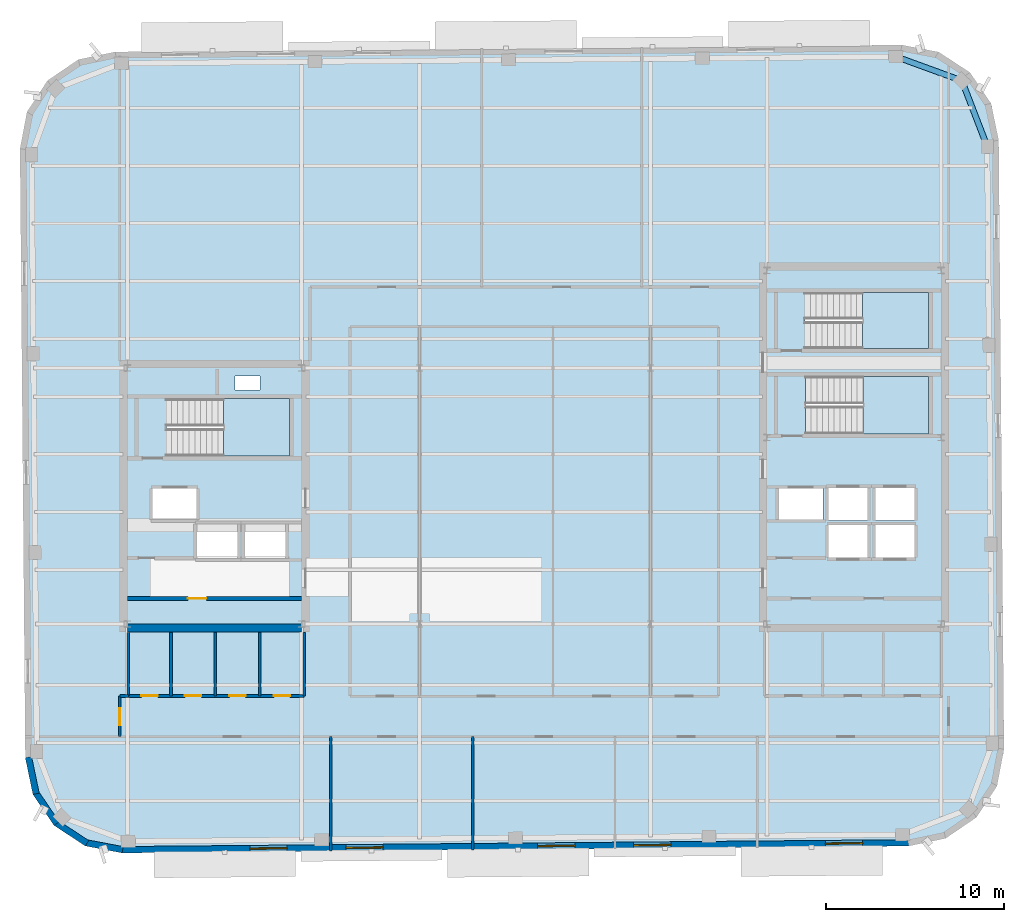
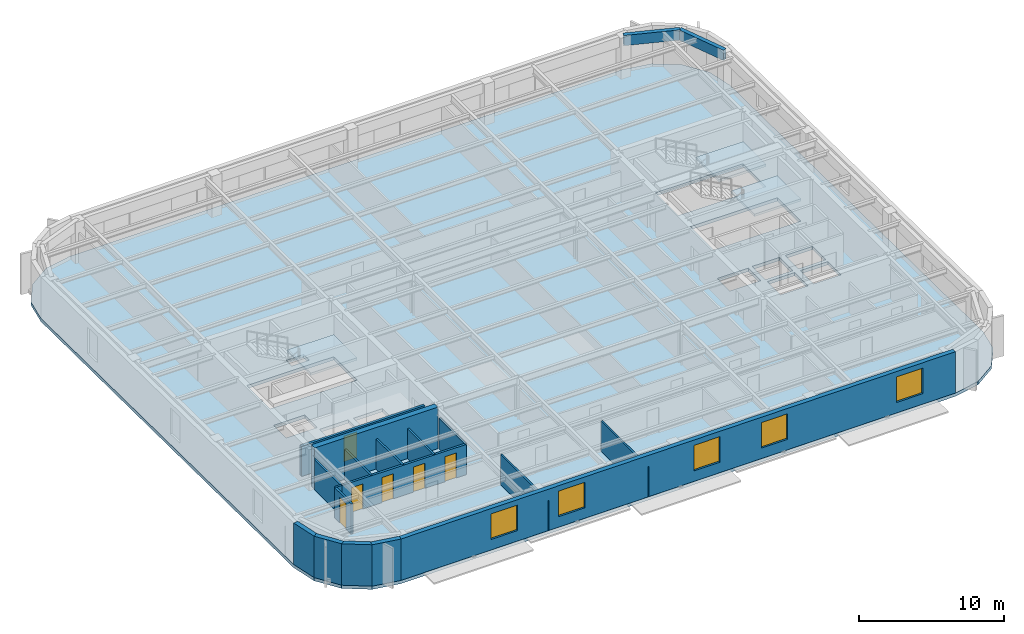
# One storey, part 6 of 15: 17 walls, 6 doors, 5 windows, 4 slabs, 2 beams, 11 openings, 3 elements without a shape of their own.
"""IFC4 building model written with IfcOpenShell, lengths in metres."""

import ifcopenshell
import ifcopenshell.guid

model = None  # the IFC model being written
_history = None  # IfcOwnerHistory: only IFC2X3 demands one
_inside = {}  # id of a spatial element -> (the spatial element, [elements in it])
_under = {}  # id of a project, library or spatial element -> (it, [spatial elements below it])
_declared = {}  # id of a project -> (the project, [libraries it declares])
_typed = {}  # id of a type object -> (the type object, [elements of that type])
_made_of = {}  # id of a material, layer set ... -> (it, [elements and type objects made of it])


def new_model(schema):
    """Start an empty IFC model of exactly this schema.

    Asked for "IFC4X3", IfcOpenShell would pick the latest addendum, in which some entities
    have other attributes; the version numbers below select the first issue.
    IFC2X3 requires an IfcOwnerHistory on every rooted entity: one is made here for all.
    """
    global model, _history
    if schema == "IFC4X3":
        model = ifcopenshell.file(schema_version=(4, 3, 0, 0))
    else:
        model = ifcopenshell.file(schema=schema)
    _inside.clear()
    _under.clear()
    _declared.clear()
    _typed.clear()
    _made_of.clear()
    _history = None
    if model.schema == "IFC2X3":
        org = make("IfcOrganization", Name="unknown")
        user = make(
            "IfcPersonAndOrganization",
            ThePerson=make("IfcPerson", FamilyName="unknown"),
            TheOrganization=org,
        )
        app = make(
            "IfcApplication",
            ApplicationDeveloper=org,
            Version="unknown",
            ApplicationFullName="unknown",
            ApplicationIdentifier="unknown",
        )
        _history = make(
            "IfcOwnerHistory",
            OwningUser=user,
            OwningApplication=app,
            ChangeAction="ADDED",
            CreationDate=0,
        )
    return model


def make(cls, **values):
    """One entity of the class cls with the attributes given. An attribute that is None is left unset."""
    return model.create_entity(
        cls, **{name: value for name, value in values.items() if value is not None}
    )


def rooted(cls, **values):
    """An entity with a GlobalId (a new one), such as an element, a storey or a relation."""
    return make(cls, GlobalId=ifcopenshell.guid.new(), OwnerHistory=_history, **values)


def si_unit(unit_type, name, prefix=None):
    """IfcSIUnit, for example si_unit("LENGTHUNIT", "METRE", prefix="MILLI")."""
    return make("IfcSIUnit", UnitType=unit_type, Prefix=prefix, Name=name)


def assignment(units):
    """IfcUnitAssignment: the units of a project."""
    return None if units is None else make("IfcUnitAssignment", Units=units)


def point(xyz):
    """IfcCartesianPoint."""
    return None if xyz is None else make("IfcCartesianPoint", Coordinates=xyz)


def direction(xyz):
    """IfcDirection."""
    return None if xyz is None else make("IfcDirection", DirectionRatios=xyz)


def frame(location, z_axis=None, x_axis=None):
    """IfcAxis2Placement3D, a coordinate frame: its origin and axes. An axis left out is left unset."""
    return make(
        "IfcAxis2Placement3D",
        Location=point(location),
        Axis=direction(z_axis),
        RefDirection=direction(x_axis),
    )


def frame_2d(location, x_axis=None):
    """IfcAxis2Placement2D, a coordinate frame in the plane: its origin and x axis."""
    return make(
        "IfcAxis2Placement2D", Location=point(location), RefDirection=direction(x_axis)
    )


def origin():
    """The frame at (0, 0, 0) with its axes left unset."""
    return frame((0.0, 0.0, 0.0))


def origin_2d():
    """The frame at (0, 0) in the plane with its x axis left unset."""
    return frame_2d((0.0, 0.0))


def place(relative_to, where):
    """IfcLocalPlacement: puts the frame where relative to a parent placement (None: the world)."""
    return make(
        "IfcLocalPlacement", PlacementRelTo=relative_to, RelativePlacement=where
    )


def context(
    kind, dimensions, precision=None, world=None, true_north=None, identifier=None
):
    """IfcGeometricRepresentationContext, for example the 3D "Model" context."""
    return make(
        "IfcGeometricRepresentationContext",
        ContextIdentifier=identifier,
        ContextType=kind,
        CoordinateSpaceDimension=dimensions,
        Precision=precision,
        WorldCoordinateSystem=world,
        TrueNorth=true_north,
    )


def subcontext(parent, identifier, kind, view, scale=None):
    """IfcGeometricRepresentationSubContext, for example "Body" below "Model"."""
    return make(
        "IfcGeometricRepresentationSubContext",
        ContextIdentifier=identifier,
        ContextType=kind,
        ParentContext=parent,
        TargetScale=scale,
        TargetView=view,
    )


def project(units=None, contexts=None):
    """IfcProject with its units and contexts."""
    return rooted(
        "IfcProject",
        Name="project",
        RepresentationContexts=contexts,
        UnitsInContext=assignment(units),
    )


def spatial(cls, under=None, at=None, **own):
    """A site, building, storey or space (cls), placed at a placement, below another one or the project."""
    s = rooted(cls, ObjectPlacement=at, **own)
    if under is not None:
        _under.setdefault(under.id(), (under, []))[1].append(s)
    return s


def polyline(points):
    """IfcPolyline through the points."""
    return make("IfcPolyline", Points=[point(p) for p in points])


def profile(cls, at=None, kind="AREA", **sizes):
    """A parametric profile (cls). Its sizes go by their IFC names, for example OverallWidth=200.0."""
    return make(cls, ProfileType=kind, Position=at, **sizes)


def rectangle(**sizes):
    """IfcRectangleProfileDef."""
    return profile("IfcRectangleProfileDef", **sizes)


def hollow_rectangle(**sizes):
    """IfcRectangleHollowProfileDef."""
    return profile("IfcRectangleHollowProfileDef", **sizes)


def outline(outer, holes=None, kind="AREA"):
    """IfcArbitraryClosedProfileDef: a profile drawn as a closed curve; with holes, ...WithVoids."""
    if holes is None:
        return make("IfcArbitraryClosedProfileDef", ProfileType=kind, OuterCurve=outer)
    return make(
        "IfcArbitraryProfileDefWithVoids",
        ProfileType=kind,
        OuterCurve=outer,
        InnerCurves=holes,
    )


def extrude(swept, where, along, depth):
    """IfcExtrudedAreaSolid: the profile swept, set in the frame where, extruded along a direction by depth."""
    return make(
        "IfcExtrudedAreaSolid",
        SweptArea=swept,
        Position=where,
        ExtrudedDirection=direction(along),
        Depth=depth,
    )


def shape(context_of_items, identifier, shape_type, items):
    """IfcShapeRepresentation: the items that make up one representation, for example the "Body"."""
    return make(
        "IfcShapeRepresentation",
        ContextOfItems=context_of_items,
        RepresentationIdentifier=identifier,
        RepresentationType=shape_type,
        Items=items,
    )


def material(Name=None, Category=None):
    """IfcMaterial."""
    return make("IfcMaterial", Name=Name, Category=Category)


def layer(
    of_material, thickness, ventilated=None, Name=None, Category=None, Priority=None
):
    """IfcMaterialLayer: one layer of a wall or slab, of a material (None: an air gap)."""
    return make(
        "IfcMaterialLayer",
        Material=of_material,
        LayerThickness=thickness,
        IsVentilated=ventilated,
        Name=Name,
        Category=Category,
        Priority=Priority,
    )


def layer_set(layers, Name=None):
    """IfcMaterialLayerSet."""
    return make("IfcMaterialLayerSet", MaterialLayers=layers, LayerSetName=Name)


def material_profile(
    of_material, cross_section, Name=None, Category=None, Priority=None
):
    """IfcMaterialProfile: a cross section and its material."""
    return make(
        "IfcMaterialProfile",
        Name=Name,
        Material=of_material,
        Profile=cross_section,
        Priority=Priority,
        Category=Category,
    )


def profile_set(profiles, Name=None, composite=None):
    """IfcMaterialProfileSet."""
    return make(
        "IfcMaterialProfileSet",
        Name=Name,
        MaterialProfiles=profiles,
        CompositeProfile=composite,
    )


def made_of(thing, what):
    """Note that an element or type object is made of a material, layer set ...; save() writes the relation."""
    if what is not None:
        _made_of.setdefault(what.id(), (what, []))[1].append(thing)
    return thing


def type_object(cls, material=None, **own):
    """A type object (cls), such as IfcWallType, which elements share."""
    return made_of(rooted(cls, **own), material)


def element(
    cls,
    number,
    at=None,
    inside=None,
    cuts=None,
    type_object=None,
    material=None,
    context=None,
    identifier="Body",
    shape_type=None,
    held_by="IfcProductDefinitionShape",
    body=None,
    shapes=None,
    **own,
):
    """One element of the class cls, such as IfcWall. Its Tag is "e" and its number.

    at: its placement. inside: the storey or other place that contains it. cuts: it is an
    opening in that element (IfcRelVoidsElement). A single representation is given by context,
    identifier, shape_type and body (its items); several are given by shapes. held_by: the class
    of the entity that holds the representations. save() writes the other relations.
    """
    e = rooted(cls, Tag="e%d" % number, ObjectPlacement=at, **own)
    if body is not None:
        shapes = [shape(context, identifier, shape_type, body)]
    if shapes is not None:
        e.Representation = make(held_by, Representations=shapes)
    if inside is not None:
        _inside.setdefault(inside.id(), (inside, []))[1].append(e)
    if cuts is not None:
        rooted(
            "IfcRelVoidsElement", RelatingBuildingElement=cuts, RelatedOpeningElement=e
        )
    if type_object is not None:
        _typed.setdefault(type_object.id(), (type_object, []))[1].append(e)
    return made_of(e, material)


def fill(opening, filler):
    """IfcRelFillsElement: the door or window that sits in an opening."""
    return rooted(
        "IfcRelFillsElement",
        RelatingOpeningElement=opening,
        RelatedBuildingElement=filler,
    )


def aggregate(whole, parts):
    """IfcRelAggregates: a whole, such as a stair, and the parts it consists of."""
    return rooted("IfcRelAggregates", RelatingObject=whole, RelatedObjects=parts)


def save(model, path):
    """Write the relations noted so far, then the file.

    IfcRelAggregates (storeys below a building ...), IfcRelContainedInSpatialStructure (elements
    in a storey), IfcRelDefinesByType, IfcRelAssociatesMaterial and IfcRelDeclares: one each for
    every whole, place, type object, material and project.
    """
    for whole, parts in _under.values():
        aggregate(whole, parts)
    for where, things in _inside.values():
        rooted(
            "IfcRelContainedInSpatialStructure",
            RelatedElements=things,
            RelatingStructure=where,
        )
    for kind, things in _typed.values():
        rooted("IfcRelDefinesByType", RelatedObjects=things, RelatingType=kind)
    for what, things in _made_of.values():
        rooted("IfcRelAssociatesMaterial", RelatedObjects=things, RelatingMaterial=what)
    for by, libraries in _declared.values():
        rooted("IfcRelDeclares", RelatingContext=by, RelatedDefinitions=libraries)
    model.write(path)


model = new_model("IFC4")

# Units and contexts
model_context = context("Model", 3, precision=1e-05, world=origin(), true_north=direction((0.0, 1.0)))
body_context = subcontext(model_context, "Body", "Model", "MODEL_VIEW")
ifc_project = project(units=[si_unit("LENGTHUNIT", "METRE"), si_unit("AREAUNIT", "SQUARE_METRE"), si_unit("VOLUMEUNIT", "CUBIC_METRE"), si_unit("PLANEANGLEUNIT", "RADIAN"), si_unit("MASSUNIT", "GRAM", prefix="KILO")], contexts=[model_context])

# Site, building, storey
site_placement = place(None, origin())
site = spatial("IfcSite", under=ifc_project, at=site_placement, CompositionType="ELEMENT")
building_placement = place(site_placement, origin())
building = spatial("IfcBuilding", under=site, at=building_placement, Name="Kolvaren Arena Tower", CompositionType="ELEMENT")
storey_placement = place(building_placement, frame((0.0, 0.0, 293.64990234375)))
storey = spatial("IfcBuildingStorey", under=building, at=storey_placement, Name="L72", CompositionType="ELEMENT", Elevation=293.64990234375)

# Beams
ifc_material_1 = material(Name="Steel CSA G40.21 350WT", Category="steel")
ifc_material_profile = material_profile(ifc_material_1, hollow_rectangle(XDim=0.320068359375, YDim=0.860107421875, WallThickness=0.01806640625, at=origin_2d()), Name="HSS 860x320x18")
ifc_profile_set = profile_set([ifc_material_profile], Name="Steel CSA G40.21 350WT")
beam_type = type_object("IfcBeamType", Name="SPAND-02", PredefinedType="SPANDREL", material=ifc_profile_set)
for number, where, z_axis, x_axis, name in (
    (1, (62.952392578125, 46.333984375, 3.050048828125), (-0.359383792094, 0.933189846698, 0.0), (-0.933189846698, -0.359383792094, 0.0), "Perimeter Spandrel Beam (L72)"),
    (2, (61.52880859375, 50.030517578125, 3.050048828125), (-0.939313819882, 0.343059102458, 0.0), (-0.343059102458, -0.939313819882, 0.0), "Perimeter Spandrel Beam (L72)"),
):
    element("IfcBeam", number, at=place(storey_placement, frame(where, z_axis=z_axis, x_axis=x_axis)), inside=storey, type_object=beam_type, Name=name, PredefinedType="SPANDREL", context=body_context, shape_type="SweptSolid", body=[
        extrude(hollow_rectangle(XDim=0.320068359375, YDim=0.860107421875, WallThickness=0.01806640625, at=origin_2d()), origin(), (0.0, 0.0, 1.0), 3.961181640625),
    ])

# Stair, slab
ifc_material_2 = material(Name="Concrete 45 MPa", Category="concrete")
stair_type_1 = type_object("IfcStairType", Name="STAIR-CORE-165", PredefinedType="HALF_TURN_STAIR", material=ifc_material_2)
stair_1_placement = place(storey_placement, origin())
stair_1 = element("IfcStair", 3, at=stair_1_placement, inside=storey, type_object=stair_type_1, Name="L72 ST-W1", PredefinedType="HALF_TURN_STAIR")
ifc_layer_1 = layer(ifc_material_2, 0.199951171875)
ifc_layer_set_1 = layer_set([ifc_layer_1], Name="Concrete 45 MPa")
slab_type_1 = type_object("IfcSlabType", Name="SLAB-LAND", PredefinedType="LANDING", material=ifc_layer_set_1)
slab_1_placement = place(storey_placement, frame((0.0, 0.0, 1.675048828125)))
slab_1 = element("IfcSlab", 4, at=slab_1_placement, type_object=slab_type_1, Name="ST-W1 landing 1", PredefinedType="LANDING", context=body_context, shape_type="SweptSolid", body=[
    extrude(outline(polyline([(19.9599609375, 28.89990234375), (23.659912109375, 28.89990234375), (23.659912109375, 32.1298828125), (19.9599609375, 32.1298828125), (19.9599609375, 28.89990234375)])), origin(), (0.0, 0.0, 1.0), 0.199951171875),
])
aggregate(stair_1, [slab_1])

stair_2_placement = place(storey_placement, origin())
stair_2 = element("IfcStair", 5, at=stair_2_placement, inside=storey, type_object=stair_type_1, Name="L72 ST-E1", PredefinedType="HALF_TURN_STAIR")
slab_2_placement = place(storey_placement, frame((0.0, 0.0, 1.675048828125)))
slab_2 = element("IfcSlab", 6, at=slab_2_placement, type_object=slab_type_1, Name="ST-E1 landing 1", PredefinedType="LANDING", context=body_context, shape_type="SweptSolid", body=[
    extrude(outline(polyline([(55.9599609375, 30.14990234375), (59.659912109375, 30.14990234375), (59.659912109375, 33.3798828125), (55.9599609375, 33.3798828125), (55.9599609375, 30.14990234375)])), origin(), (0.0, 0.0, 1.0), 0.199951171875),
])
aggregate(stair_2, [slab_2])

stair_type_2 = type_object("IfcStairType", Name="STAIR-CORE-150", PredefinedType="HALF_TURN_STAIR", material=ifc_material_2)
stair_3_placement = place(storey_placement, origin())
stair_3 = element("IfcStair", 7, at=stair_3_placement, inside=storey, type_object=stair_type_2, Name="L72 ST-E2", PredefinedType="HALF_TURN_STAIR")
slab_3_placement = place(storey_placement, frame((0.0, 0.0, 1.675048828125)))
slab_3 = element("IfcSlab", 8, at=slab_3_placement, type_object=slab_type_1, Name="ST-E2 landing 1", PredefinedType="LANDING", context=body_context, shape_type="SweptSolid", body=[
    extrude(outline(polyline([(55.919921875, 34.949951171875), (59.659912109375, 34.949951171875), (59.659912109375, 38.10009765625), (55.919921875, 38.10009765625), (55.919921875, 34.949951171875)])), origin(), (0.0, 0.0, 1.0), 0.199951171875),
])
aggregate(stair_3, [slab_3])

# Slab
ifc_layer_2 = layer(ifc_material_2, 0.27001953125)
ifc_layer_set_2 = layer_set([ifc_layer_2], Name="Concrete 45 MPa")
slab_type_2 = type_object("IfcSlabType", Name="SLAB-OFF2", PredefinedType="FLOOR", material=ifc_layer_set_2)
slab_4_placement = place(storey_placement, frame((0.0, 0.0, -0.27001953125)))
element("IfcSlab", 9, at=slab_4_placement, inside=storey, type_object=slab_type_2, Name="L72 Primary Structural Slab", PredefinedType="FLOOR", context=body_context, shape_type="SweptSolid", body=[
    extrude(outline(polyline([(58.5458984375, 6.944091796875), (60.60888671875, 7.373291015625), (62.350341796875, 8.55908203125), (63.505615234375, 10.321044921875), (63.898681640625, 12.39111328125), (63.599365234375, 46.689697265625), (63.170166015625, 48.752685546875), (61.984375, 50.494140625), (60.222412109375, 51.6494140625), (58.15234375, 52.04248046875), (13.85400390625, 51.65576171875), (11.791259765625, 51.226806640625), (10.049560546875, 50.041015625), (8.894287109375, 48.27880859375), (8.50146484375, 46.208984375), (8.80078125, 11.91015625), (9.229736328125, 9.847412109375), (10.41552734375, 8.105712890625), (12.177490234375, 6.95068359375), (14.24755859375, 6.5576171875), (58.5458984375, 6.944091796875)]), holes=[polyline([(20.739990234375, 23.135009765625), (18.4599609375, 23.135009765625), (18.4599609375, 25.06494140625), (20.739990234375, 25.06494140625), (20.739990234375, 23.135009765625)]), polyline([(21.159912109375, 23.135009765625), (21.159912109375, 25.06494140625), (23.43994140625, 25.06494140625), (23.43994140625, 23.135009765625), (21.159912109375, 23.135009765625)]), polyline([(56.2099609375, 23.18505859375), (54.030029296875, 23.18505859375), (54.030029296875, 25.014892578125), (56.2099609375, 25.014892578125), (56.2099609375, 23.18505859375)]), polyline([(56.669921875, 23.18505859375), (56.669921875, 25.014892578125), (58.85009765625, 25.014892578125), (58.85009765625, 23.18505859375), (56.669921875, 23.18505859375)]), polyline([(54.030029296875, 25.284912109375), (54.030029296875, 27.114990234375), (56.2099609375, 27.114990234375), (56.2099609375, 25.284912109375), (54.030029296875, 25.284912109375)]), polyline([(58.85009765625, 25.284912109375), (56.669921875, 25.284912109375), (56.669921875, 27.114990234375), (58.85009765625, 27.114990234375), (58.85009765625, 25.284912109375)]), polyline([(15.9599609375, 25.3349609375), (15.9599609375, 27.06494140625), (18.43994140625, 27.06494140625), (18.43994140625, 25.3349609375), (15.9599609375, 25.3349609375)]), polyline([(53.699951171875, 25.3349609375), (51.219970703125, 25.3349609375), (51.219970703125, 27.06494140625), (53.699951171875, 27.06494140625), (53.699951171875, 25.3349609375)]), polyline([(16.735107421875, 28.89990234375), (16.735107421875, 32.1298828125), (23.659912109375, 32.1298828125), (23.659912109375, 28.89990234375), (16.735107421875, 28.89990234375)]), polyline([(52.735107421875, 30.14990234375), (52.735107421875, 33.3798828125), (59.659912109375, 33.3798828125), (59.659912109375, 30.14990234375), (52.735107421875, 30.14990234375)]), polyline([(20.60009765625, 32.6201171875), (20.60009765625, 33.39990234375), (22.0, 33.39990234375), (22.0, 32.6201171875), (20.60009765625, 32.6201171875)]), polyline([(52.695068359375, 34.949951171875), (52.695068359375, 38.10009765625), (59.659912109375, 38.10009765625), (59.659912109375, 34.949951171875), (52.695068359375, 34.949951171875)])]), origin(), (0.0, 0.0, 1.0), 0.27001953125),
])

# Wall, opening, door
ifc_material_3 = material(Name="Gypsum board acoustic assembly", Category="gypsum")
ifc_layer_3 = layer(ifc_material_3, 0.159912109375)
ifc_layer_set_3 = layer_set([ifc_layer_3], Name="Gypsum board acoustic assembly")
wall_type_1 = type_object("IfcWallType", Name="CORR-160", PredefinedType="PARTITIONING", material=ifc_layer_set_3)
wall_1_placement = place(storey_placement, frame((14.1201171875, 13.10009765625, 0.0), z_axis=(0.0, 0.0, 1.0), x_axis=(0.0, 1.0, 0.0)))
wall_1 = element("IfcWall", 10, at=wall_1_placement, inside=storey, type_object=wall_type_1, Name="Interior Partition Wall (L72)", PredefinedType="PARTITIONING", context=body_context, shape_type="SweptSolid", body=[
    extrude(rectangle(XDim=2.2998046875, YDim=0.159912109375, at=frame_2d((1.14990234375, 0.0))), origin(), (0.0, 0.0, 1.0), 2.5400390625),
])
opening_1_placement = place(wall_1_placement, frame((0.64990234375, 0.0, 0.0)))
opening_1 = element("IfcOpeningElement", 11, at=opening_1_placement, cuts=wall_1, Name="Opening D05", PredefinedType="OPENING", context=body_context, shape_type="SweptSolid", body=[
    extrude(rectangle(XDim=0.949951171875, YDim=2.14990234375, at=frame_2d((0.47509765625, 1.074951171875))), frame((0.0, 0.08984375, 0.0), z_axis=(0.0, -1.0, 0.0), x_axis=(1.0, 0.0, 0.0)), (0.0, 0.0, 1.0), 0.179931640625),
])
ifc_material_4 = material(Name="Solid-core oak acoustic office door", Category="wood")
door_type_1 = type_object("IfcDoorType", Name="DOOR-OF-095", OperationType="NOTDEFINED", PredefinedType="DOOR", material=ifc_material_4)
door_1_placement = place(opening_1_placement, origin())
door_1 = element("IfcDoor", 12, at=door_1_placement, inside=storey, type_object=door_type_1, Name="West Wing Office Door (L72)", OperationType="SINGLE_SWING_LEFT", OverallHeight=2.14990234375, OverallWidth=0.949951171875, PredefinedType="DOOR", context=body_context, shape_type="SweptSolid", body=[
    extrude(rectangle(XDim=0.949951171875, YDim=2.14990234375, at=frame_2d((0.47509765625, 1.074951171875))), frame((0.0, 0.02490234375, 0.0), z_axis=(0.0, -1.0, 0.0), x_axis=(1.0, 0.0, 0.0)), (0.0, 0.0, 1.0), 0.050048828125),
])
fill(opening_1, door_1)

# Walls
wall_2_placement = place(storey_placement, frame((14.1201171875, 15.39990234375, 0.0), z_axis=(0.0, 0.0, 1.0), x_axis=(1.0, 0.0, 0.0)))
element("IfcWall", 13, at=wall_2_placement, inside=storey, type_object=wall_type_1, Name="Interior Partition Wall (L72)", PredefinedType="PARTITIONING", context=body_context, shape_type="SweptSolid", body=[
    extrude(rectangle(XDim=0.5, YDim=0.159912109375, at=frame_2d((0.25, 0.0))), origin(), (0.0, 0.0, 1.0), 2.5400390625),
])
ifc_material_5 = material(Name="Concrete 55 MPa", Category="concrete")
ifc_layer_4 = layer(ifc_material_5, 0.449951171875)
ifc_layer_set_4 = layer_set([ifc_layer_4], Name="Concrete 55 MPa")
wall_type_2 = type_object("IfcWallType", Name="CWALL-450", PredefinedType="SHEAR", material=ifc_layer_set_4)
wall_3_placement = place(storey_placement, frame((14.550048828125, 19.22509765625, -0.27001953125), z_axis=(0.0, 0.0, 1.0), x_axis=(1.0, 0.0, 0.0)))
element("IfcWall", 14, at=wall_3_placement, inside=storey, type_object=wall_type_2, Name="Core Shear Wall WC-SOUTH (L72)", PredefinedType="SHEAR", context=body_context, shape_type="SweptSolid", body=[
    extrude(rectangle(XDim=9.800048828125, YDim=0.449951171875, at=frame_2d((4.89990234375, 0.0))), origin(), (0.0, 0.0, 1.0), 3.75),
])
ifc_material_6 = material(Name="Precast concrete C50/60", Category="concrete")
ifc_layer_5 = layer(ifc_material_6, 0.360107421875)
ifc_layer_set_5 = layer_set([ifc_layer_5], Name="Precast concrete C50/60")
wall_type_3 = type_object("IfcWallType", Name="EXT-PIER2", PredefinedType="SOLIDWALL", material=ifc_layer_set_5)
wall_4_placement = place(storey_placement, frame((9.406005859375, 9.884033203125, 0.0), z_axis=(0.0, 0.0, 1.0), x_axis=(-0.203685893209, 0.979036289883, 0.0)))
element("IfcWall", 15, at=wall_4_placement, inside=storey, type_object=wall_type_3, Name="Exterior Precast Masonry-Frame Wall (L72)", PredefinedType="SOLIDWALL", context=body_context, shape_type="SweptSolid", body=[
    extrude(rectangle(XDim=2.107177734375, YDim=0.360107421875, at=frame_2d((1.0537109375, 0.0))), origin(), (0.0, 0.0, 1.0), 3.47998046875),
])
for number, where, z_axis, x_axis, name in (
    (16, (10.564453125, 8.20703125, 0.0), (0.0, 0.0, 1.0), (-0.56277581689, 0.826609569219, 0.0), "Exterior Precast Masonry-Frame Wall (L72)"),
    (17, (12.2763671875, 7.10107421875, 0.0), (0.0, 0.0, 1.0), (-0.836268756678, 0.548319766745, 0.0), "Exterior Precast Masonry-Frame Wall (L72)"),
):
    element("IfcWall", number, at=place(storey_placement, frame(where, z_axis=z_axis, x_axis=x_axis)), inside=storey, type_object=wall_type_3, Name=name, PredefinedType="SOLIDWALL", context=body_context, shape_type="SweptSolid", body=[
        extrude(rectangle(XDim=2.10693359375, YDim=0.360107421875, at=frame_2d((1.053466796875, 0.0))), origin(), (0.0, 0.0, 1.0), 3.47998046875),
    ])
wall_5_placement = place(storey_placement, frame((14.28125, 6.734375, 0.0), z_axis=(0.0, 0.0, 1.0), x_axis=(-0.982445905584, 0.186547695246, 0.0)))
element("IfcWall", 18, at=wall_5_placement, inside=storey, type_object=wall_type_3, Name="Exterior Precast Masonry-Frame Wall (L72)", PredefinedType="SOLIDWALL", context=body_context, shape_type="SweptSolid", body=[
    extrude(rectangle(XDim=2.107177734375, YDim=0.360107421875, at=frame_2d((1.0537109375, 0.0))), origin(), (0.0, 0.0, 1.0), 3.47998046875),
])

# Wall, openings, windows
wall_6_placement = place(storey_placement, frame((58.544189453125, 7.124267578125, 0.0), z_axis=(0.0, 0.0, 1.0), x_axis=(-0.999961896442, -0.008729585516, 0.0)))
wall_6 = element("IfcWall", 19, at=wall_6_placement, inside=storey, type_object=wall_type_3, Name="Exterior Precast Masonry-Frame Wall (L72)", PredefinedType="SOLIDWALL", context=body_context, shape_type="SweptSolid", body=[
    extrude(rectangle(XDim=44.2998046875, YDim=0.360107421875, at=frame_2d((22.14990234375, 0.0))), origin(), (0.0, 0.0, 1.0), 3.47998046875),
])
opening_2_placement = place(wall_6_placement, frame((2.60009765625, 0.0, 0.8798828125)))
opening_2 = element("IfcOpeningElement", 20, at=opening_2_placement, cuts=wall_6, Name="Opening W01", PredefinedType="OPENING", context=body_context, shape_type="SweptSolid", body=[
    extrude(rectangle(XDim=2.10009765625, YDim=2.14990234375, at=frame_2d((1.050048828125, 1.074951171875))), frame((0.0, 0.18994140625, 0.0), z_axis=(0.0, -1.0, 0.0), x_axis=(1.0, 0.0, 0.0)), (0.0, 0.0, 1.0), 0.380126953125),
])
opening_3_placement = place(wall_6_placement, frame((13.39990234375, 0.0, 0.8798828125)))
opening_3 = element("IfcOpeningElement", 21, at=opening_3_placement, cuts=wall_6, Name="Opening W01", PredefinedType="OPENING", context=body_context, shape_type="SweptSolid", body=[
    extrude(rectangle(XDim=2.10009765625, YDim=2.14990234375, at=frame_2d((1.050048828125, 1.074951171875))), frame((0.0, 0.18994140625, 0.0), z_axis=(0.0, -1.0, 0.0), x_axis=(1.0, 0.0, 0.0)), (0.0, 0.0, 1.0), 0.380126953125),
])
opening_4_placement = place(wall_6_placement, frame((18.800048828125, 0.0, 0.8798828125)))
opening_4 = element("IfcOpeningElement", 22, at=opening_4_placement, cuts=wall_6, Name="Opening W01", PredefinedType="OPENING", context=body_context, shape_type="SweptSolid", body=[
    extrude(rectangle(XDim=2.10009765625, YDim=2.14990234375, at=frame_2d((1.050048828125, 1.074951171875))), frame((0.0, 0.18994140625, 0.0), z_axis=(0.0, -1.0, 0.0), x_axis=(1.0, 0.0, 0.0)), (0.0, 0.0, 1.0), 0.380126953125),
])
opening_5_placement = place(wall_6_placement, frame((29.60009765625, 0.0, 0.8798828125)))
opening_5 = element("IfcOpeningElement", 23, at=opening_5_placement, cuts=wall_6, Name="Opening W01", PredefinedType="OPENING", context=body_context, shape_type="SweptSolid", body=[
    extrude(rectangle(XDim=2.10009765625, YDim=2.14990234375, at=frame_2d((1.050048828125, 1.074951171875))), frame((0.0, 0.18994140625, 0.0), z_axis=(0.0, -1.0, 0.0), x_axis=(1.0, 0.0, 0.0)), (0.0, 0.0, 1.0), 0.380126953125),
])
opening_6_placement = place(wall_6_placement, frame((35.0, 0.0, 0.8798828125)))
opening_6 = element("IfcOpeningElement", 24, at=opening_6_placement, cuts=wall_6, Name="Opening W01", PredefinedType="OPENING", context=body_context, shape_type="SweptSolid", body=[
    extrude(rectangle(XDim=2.10009765625, YDim=2.14990234375, at=frame_2d((1.050048828125, 1.074951171875))), frame((0.0, 0.18994140625, 0.0), z_axis=(0.0, -1.0, 0.0), x_axis=(1.0, 0.0, 0.0)), (0.0, 0.0, 1.0), 0.380126953125),
])
ifc_material_7 = material(Name="Triple-glazed low-E aluminium window", Category="aluminium")
window_type = type_object("IfcWindowType", Name="WIN-OFF-A", PartitioningType="DOUBLE_PANEL_VERTICAL", PredefinedType="WINDOW", material=ifc_material_7)
window_1_placement = place(opening_2_placement, origin())
window_1 = element("IfcWindow", 25, at=window_1_placement, inside=storey, type_object=window_type, Name="Punched Precast-Pier Window (L72)", OverallHeight=2.14990234375, OverallWidth=2.10009765625, PartitioningType="DOUBLE_PANEL_VERTICAL", PredefinedType="WINDOW", context=body_context, shape_type="SweptSolid", body=[
    extrude(rectangle(XDim=2.10009765625, YDim=2.14990234375, at=frame_2d((1.050048828125, 1.074951171875))), frame((0.0, 0.030029296875, 0.0), z_axis=(0.0, -1.0, 0.0), x_axis=(1.0, 0.0, 0.0)), (0.0, 0.0, 1.0), 0.06005859375),
])
fill(opening_2, window_1)
window_2_placement = place(opening_3_placement, origin())
window_2 = element("IfcWindow", 26, at=window_2_placement, inside=storey, type_object=window_type, Name="Punched Precast-Pier Window (L72)", OverallHeight=2.14990234375, OverallWidth=2.10009765625, PartitioningType="DOUBLE_PANEL_VERTICAL", PredefinedType="WINDOW", context=body_context, shape_type="SweptSolid", body=[
    extrude(rectangle(XDim=2.10009765625, YDim=2.14990234375, at=frame_2d((1.050048828125, 1.074951171875))), frame((0.0, 0.030029296875, 0.0), z_axis=(0.0, -1.0, 0.0), x_axis=(1.0, 0.0, 0.0)), (0.0, 0.0, 1.0), 0.06005859375),
])
fill(opening_3, window_2)
window_3_placement = place(opening_4_placement, origin())
window_3 = element("IfcWindow", 27, at=window_3_placement, inside=storey, type_object=window_type, Name="Punched Precast-Pier Window (L72)", OverallHeight=2.14990234375, OverallWidth=2.10009765625, PartitioningType="DOUBLE_PANEL_VERTICAL", PredefinedType="WINDOW", context=body_context, shape_type="SweptSolid", body=[
    extrude(rectangle(XDim=2.10009765625, YDim=2.14990234375, at=frame_2d((1.050048828125, 1.074951171875))), frame((0.0, 0.030029296875, 0.0), z_axis=(0.0, -1.0, 0.0), x_axis=(1.0, 0.0, 0.0)), (0.0, 0.0, 1.0), 0.06005859375),
])
fill(opening_4, window_3)
window_4_placement = place(opening_5_placement, origin())
window_4 = element("IfcWindow", 28, at=window_4_placement, inside=storey, type_object=window_type, Name="Punched Precast-Pier Window (L72)", OverallHeight=2.14990234375, OverallWidth=2.10009765625, PartitioningType="DOUBLE_PANEL_VERTICAL", PredefinedType="WINDOW", context=body_context, shape_type="SweptSolid", body=[
    extrude(rectangle(XDim=2.10009765625, YDim=2.14990234375, at=frame_2d((1.050048828125, 1.074951171875))), frame((0.0, 0.030029296875, 0.0), z_axis=(0.0, -1.0, 0.0), x_axis=(1.0, 0.0, 0.0)), (0.0, 0.0, 1.0), 0.06005859375),
])
fill(opening_5, window_4)
window_5_placement = place(opening_6_placement, origin())
window_5 = element("IfcWindow", 29, at=window_5_placement, inside=storey, type_object=window_type, Name="Punched Precast-Pier Window (L72)", OverallHeight=2.14990234375, OverallWidth=2.10009765625, PartitioningType="DOUBLE_PANEL_VERTICAL", PredefinedType="WINDOW", context=body_context, shape_type="SweptSolid", body=[
    extrude(rectangle(XDim=2.10009765625, YDim=2.14990234375, at=frame_2d((1.050048828125, 1.074951171875))), frame((0.0, 0.030029296875, 0.0), z_axis=(0.0, -1.0, 0.0), x_axis=(1.0, 0.0, 0.0)), (0.0, 0.0, 1.0), 0.06005859375),
])
fill(opening_6, window_5)

# Wall, opening, door
ifc_material_8 = material(Name="Concrete 40 MPa", Category="concrete")
ifc_layer_6 = layer(ifc_material_8, 0.199951171875)
ifc_layer_set_6 = layer_set([ifc_layer_6], Name="Concrete 40 MPa")
wall_type_4 = type_object("IfcWallType", Name="LOBBY-200", PredefinedType="SOLIDWALL", material=ifc_layer_set_6)
wall_7_placement = place(storey_placement, frame((14.550048828125, 20.8798828125, 0.0), z_axis=(0.0, 0.0, 1.0), x_axis=(1.0, 0.0, 0.0)))
wall_7 = element("IfcWall", 30, at=wall_7_placement, inside=storey, type_object=wall_type_4, Name="Core Shaft Wall (L72)", PredefinedType="SOLIDWALL", context=body_context, shape_type="SweptSolid", body=[
    extrude(rectangle(XDim=9.800048828125, YDim=0.199951171875, at=frame_2d((4.89990234375, 0.0))), origin(), (0.0, 0.0, 1.0), 2.5400390625),
])
opening_7_placement = place(wall_7_placement, frame((3.39990234375, 0.0, 0.0)))
opening_7 = element("IfcOpeningElement", 31, at=opening_7_placement, cuts=wall_7, Name="Opening D04", PredefinedType="OPENING", context=body_context, shape_type="SweptSolid", body=[
    extrude(rectangle(XDim=1.050048828125, YDim=2.14990234375, at=frame_2d((0.52490234375, 1.074951171875))), frame((0.0, 0.10986328125, 0.0), z_axis=(0.0, -1.0, 0.0), x_axis=(1.0, 0.0, 0.0)), (0.0, 0.0, 1.0), 0.219970703125),
])
ifc_material_9 = material(Name="Fire-rated steel lobby door", Category="steel")
door_type_2 = type_object("IfcDoorType", Name="DOOR-FF-105", OperationType="NOTDEFINED", PredefinedType="DOOR", material=ifc_material_9)
door_2_placement = place(opening_7_placement, origin())
door_2 = element("IfcDoor", 32, at=door_2_placement, inside=storey, type_object=door_type_2, Name="West IT Room Fire Door (L72)", OperationType="SINGLE_SWING_LEFT", OverallHeight=2.14990234375, OverallWidth=1.050048828125, PredefinedType="DOOR", context=body_context, shape_type="SweptSolid", body=[
    extrude(rectangle(XDim=1.050048828125, YDim=2.14990234375, at=frame_2d((0.52490234375, 1.074951171875))), frame((0.0, 0.02490234375, 0.0), z_axis=(0.0, -1.0, 0.0), x_axis=(1.0, 0.0, 0.0)), (0.0, 0.0, 1.0), 0.050048828125),
])
fill(opening_7, door_2)

# Walls
ifc_material_10 = material(Name="Gypsum board partition assembly", Category="gypsum")
ifc_layer_7 = layer(ifc_material_10, 0.135009765625)
ifc_layer_set_7 = layer_set([ifc_layer_7], Name="Gypsum board partition assembly")
wall_type_5 = type_object("IfcWallType", Name="PART-135", PredefinedType="PARTITIONING", material=ifc_layer_set_7)
wall_8_placement = place(storey_placement, frame((26.0, 6.66015625, 0.0), z_axis=(0.0, 0.0, 1.0), x_axis=(0.0, 1.0, 0.0)))
element("IfcWall", 33, at=wall_8_placement, inside=storey, type_object=wall_type_5, Name="Interior Partition Wall (L72)", PredefinedType="PARTITIONING", context=body_context, shape_type="SweptSolid", body=[
    extrude(rectangle(XDim=6.43994140625, YDim=0.135009765625, at=frame_2d((3.219970703125, 0.0))), origin(), (0.0, 0.0, 1.0), 2.5400390625),
])
wall_9_placement = place(storey_placement, frame((34.0, 6.72998046875, 0.0), z_axis=(0.0, 0.0, 1.0), x_axis=(0.0, 1.0, 0.0)))
element("IfcWall", 34, at=wall_9_placement, inside=storey, type_object=wall_type_5, Name="Interior Partition Wall (L72)", PredefinedType="PARTITIONING", context=body_context, shape_type="SweptSolid", body=[
    extrude(rectangle(XDim=6.3701171875, YDim=0.135009765625, at=frame_2d((3.18505859375, 0.0))), origin(), (0.0, 0.0, 1.0), 2.5400390625),
])
ifc_material_11 = material(Name="Moisture-resistant gypsum assembly", Category="gypsum")
ifc_layer_8 = layer(ifc_material_11, 0.14990234375)
ifc_layer_set_8 = layer_set([ifc_layer_8], Name="Moisture-resistant gypsum assembly")
wall_type_6 = type_object("IfcWallType", Name="WETW-150", PredefinedType="PARTITIONING", material=ifc_layer_set_8)
for number, where, z_axis, x_axis, name in (
    (35, (17.0, 15.39990234375, 0.0), (0.0, 0.0, 1.0), (0.0, 1.0, 0.0), "Interior Partition Wall (L72)"),
    (36, (19.5, 15.39990234375, 0.0), (0.0, 0.0, 1.0), (0.0, 1.0, 0.0), "Interior Partition Wall (L72)"),
    (37, (22.0, 15.39990234375, 0.0), (0.0, 0.0, 1.0), (0.0, 1.0, 0.0), "Interior Partition Wall (L72)"),
):
    element("IfcWall", number, at=place(storey_placement, frame(where, z_axis=z_axis, x_axis=x_axis)), inside=storey, type_object=wall_type_6, Name=name, PredefinedType="PARTITIONING", context=body_context, shape_type="SweptSolid", body=[
        extrude(rectangle(XDim=3.580078125, YDim=0.14990234375, at=frame_2d((1.7900390625, 0.0))), origin(), (0.0, 0.0, 1.0), 2.5400390625),
    ])

# Wall, openings, doors
wall_10_placement = place(storey_placement, frame((14.60009765625, 15.39990234375, 0.0), z_axis=(0.0, 0.0, 1.0), x_axis=(1.0, 0.0, 0.0)))
wall_10 = element("IfcWall", 38, at=wall_10_placement, inside=storey, type_object=wall_type_6, Name="Interior Partition Wall (L72)", PredefinedType="PARTITIONING", context=body_context, shape_type="SweptSolid", body=[
    extrude(rectangle(XDim=9.89990234375, YDim=0.179931640625, at=frame_2d((4.949951171875, 0.0))), origin(), (0.0, 0.0, 1.0), 2.5400390625),
])
opening_8_placement = place(wall_10_placement, frame((0.739990234375, 0.0, 0.0)))
opening_8 = element("IfcOpeningElement", 39, at=opening_8_placement, cuts=wall_10, Name="Opening D07", PredefinedType="OPENING", context=body_context, shape_type="SweptSolid", body=[
    extrude(rectangle(XDim=0.919921875, YDim=2.10009765625, at=frame_2d((0.4599609375, 1.050048828125))), frame((0.0, 0.099853515625, 0.0), z_axis=(0.0, -1.0, 0.0), x_axis=(1.0, 0.0, 0.0)), (0.0, 0.0, 1.0), 0.199951171875),
])
opening_9_placement = place(wall_10_placement, frame((3.18994140625, 0.0, 0.0)))
opening_9 = element("IfcOpeningElement", 40, at=opening_9_placement, cuts=wall_10, Name="Opening D07", PredefinedType="OPENING", context=body_context, shape_type="SweptSolid", body=[
    extrude(rectangle(XDim=0.919921875, YDim=2.10009765625, at=frame_2d((0.4599609375, 1.050048828125))), frame((0.0, 0.099853515625, 0.0), z_axis=(0.0, -1.0, 0.0), x_axis=(1.0, 0.0, 0.0)), (0.0, 0.0, 1.0), 0.199951171875),
])
opening_10_placement = place(wall_10_placement, frame((5.68994140625, 0.0, 0.0)))
opening_10 = element("IfcOpeningElement", 41, at=opening_10_placement, cuts=wall_10, Name="Opening D07", PredefinedType="OPENING", context=body_context, shape_type="SweptSolid", body=[
    extrude(rectangle(XDim=0.919921875, YDim=2.10009765625, at=frame_2d((0.4599609375, 1.050048828125))), frame((0.0, 0.099853515625, 0.0), z_axis=(0.0, -1.0, 0.0), x_axis=(1.0, 0.0, 0.0)), (0.0, 0.0, 1.0), 0.199951171875),
])
opening_11_placement = place(wall_10_placement, frame((8.18994140625, 0.0, 0.0)))
opening_11 = element("IfcOpeningElement", 42, at=opening_11_placement, cuts=wall_10, Name="Opening D07", PredefinedType="OPENING", context=body_context, shape_type="SweptSolid", body=[
    extrude(rectangle(XDim=0.919921875, YDim=2.10009765625, at=frame_2d((0.4599609375, 1.050048828125))), frame((0.0, 0.099853515625, 0.0), z_axis=(0.0, -1.0, 0.0), x_axis=(1.0, 0.0, 0.0)), (0.0, 0.0, 1.0), 0.199951171875),
])
ifc_material_12 = material(Name="Laminate universal washroom door", Category="wood")
door_type_3 = type_object("IfcDoorType", Name="DOOR-WC-092", OperationType="NOTDEFINED", PredefinedType="DOOR", material=ifc_material_12)
door_3_placement = place(opening_8_placement, origin())
door_3 = element("IfcDoor", 43, at=door_3_placement, inside=storey, type_object=door_type_3, Name="Cleaner and Janitor Store Door (L72)", OperationType="SINGLE_SWING_RIGHT", OverallHeight=2.10009765625, OverallWidth=0.919921875, PredefinedType="DOOR", context=body_context, shape_type="SweptSolid", body=[
    extrude(rectangle(XDim=0.919921875, YDim=2.10009765625, at=frame_2d((0.4599609375, 1.050048828125))), frame((0.0, 0.02490234375, 0.0), z_axis=(0.0, -1.0, 0.0), x_axis=(1.0, 0.0, 0.0)), (0.0, 0.0, 1.0), 0.050048828125),
])
fill(opening_8, door_3)
door_4_placement = place(opening_9_placement, origin())
door_4 = element("IfcDoor", 44, at=door_4_placement, inside=storey, type_object=door_type_3, Name="Universal Barrier-Free Washroom Door (L72)", OperationType="SINGLE_SWING_LEFT", OverallHeight=2.10009765625, OverallWidth=0.919921875, PredefinedType="DOOR", context=body_context, shape_type="SweptSolid", body=[
    extrude(rectangle(XDim=0.919921875, YDim=2.10009765625, at=frame_2d((0.4599609375, 1.050048828125))), frame((0.0, 0.02490234375, 0.0), z_axis=(0.0, -1.0, 0.0), x_axis=(1.0, 0.0, 0.0)), (0.0, 0.0, 1.0), 0.050048828125),
])
fill(opening_9, door_4)
door_5_placement = place(opening_10_placement, origin())
door_5 = element("IfcDoor", 45, at=door_5_placement, inside=storey, type_object=door_type_3, Name="Women Restroom Door (L72)", OperationType="SINGLE_SWING_RIGHT", OverallHeight=2.10009765625, OverallWidth=0.919921875, PredefinedType="DOOR", context=body_context, shape_type="SweptSolid", body=[
    extrude(rectangle(XDim=0.919921875, YDim=2.10009765625, at=frame_2d((0.4599609375, 1.050048828125))), frame((0.0, 0.02490234375, 0.0), z_axis=(0.0, -1.0, 0.0), x_axis=(1.0, 0.0, 0.0)), (0.0, 0.0, 1.0), 0.050048828125),
])
fill(opening_10, door_5)
door_6_placement = place(opening_11_placement, origin())
door_6 = element("IfcDoor", 46, at=door_6_placement, inside=storey, type_object=door_type_3, Name="Men Restroom Door (L72)", OperationType="SINGLE_SWING_LEFT", OverallHeight=2.10009765625, OverallWidth=0.919921875, PredefinedType="DOOR", context=body_context, shape_type="SweptSolid", body=[
    extrude(rectangle(XDim=0.919921875, YDim=2.10009765625, at=frame_2d((0.4599609375, 1.050048828125))), frame((0.0, 0.02490234375, 0.0), z_axis=(0.0, -1.0, 0.0), x_axis=(1.0, 0.0, 0.0)), (0.0, 0.0, 1.0), 0.050048828125),
])
fill(opening_11, door_6)

# Walls
for number, where, z_axis, x_axis, name in (
    (47, (14.60009765625, 15.39990234375, 0.0), (0.0, 0.0, 1.0), (0.0, 1.0, 0.0), "Interior Partition Wall (L72)"),
    (48, (24.5, 15.39990234375, 0.0), (0.0, 0.0, 1.0), (0.0, 1.0, 0.0), "Interior Partition Wall (L72)"),
):
    element("IfcWall", number, at=place(storey_placement, frame(where, z_axis=z_axis, x_axis=x_axis)), inside=storey, type_object=wall_type_6, Name=name, PredefinedType="PARTITIONING", context=body_context, shape_type="SweptSolid", body=[
        extrude(rectangle(XDim=3.580078125, YDim=0.14990234375, at=frame_2d((1.7900390625, 0.0))), origin(), (0.0, 0.0, 1.0), 2.5400390625),
    ])

save(model, "model.ifc")
